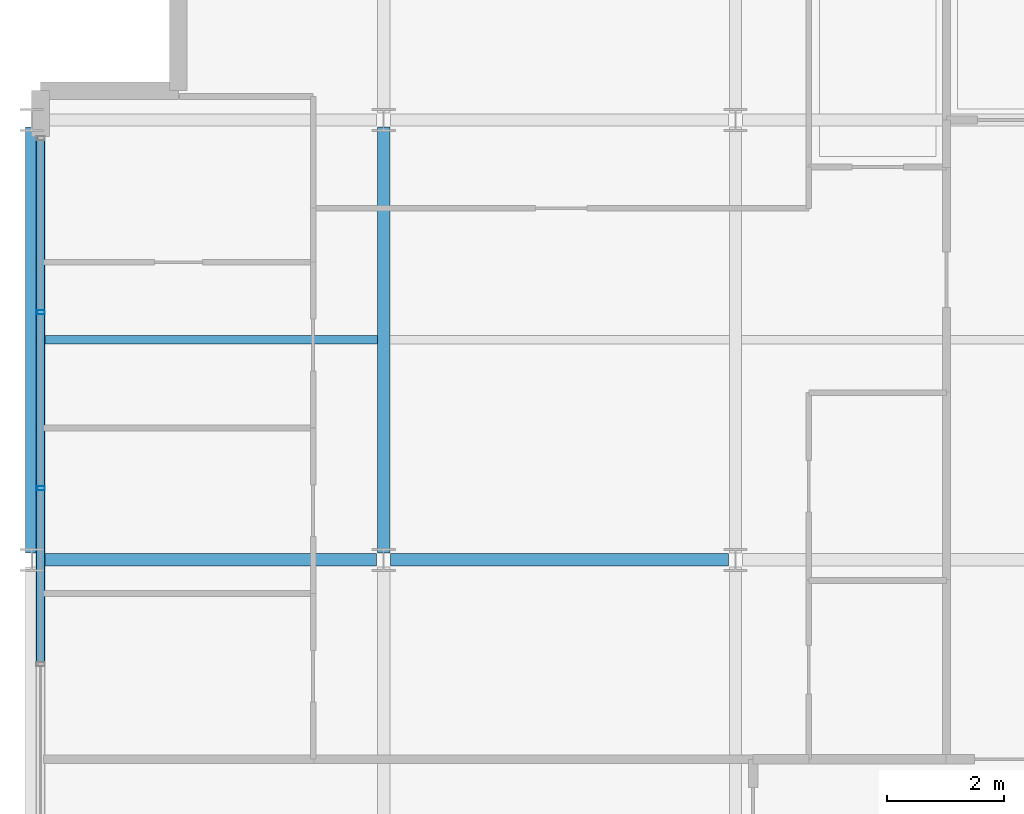
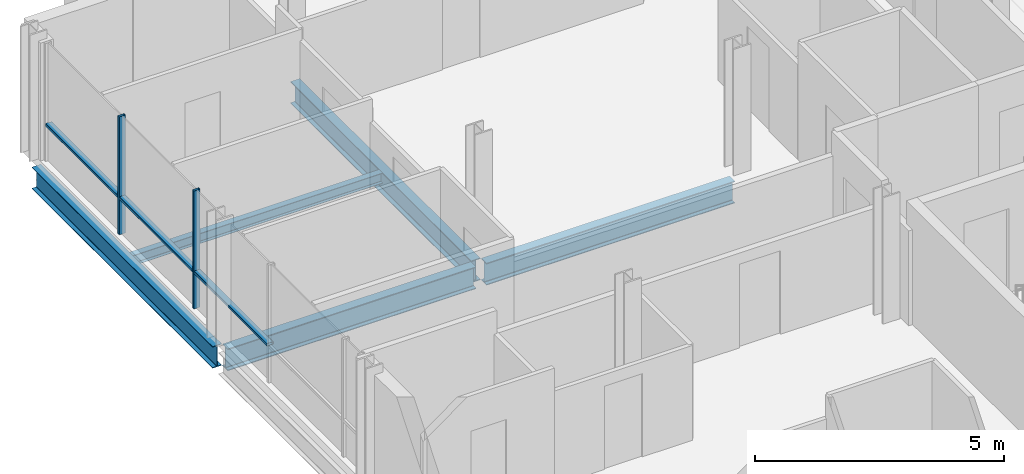
# One storey, part 6 of 35: 5 beams, 5 members, 1 element without a shape of its own.
"""IFC4 building model written with IfcOpenShell, lengths in metres."""

from ifc_helpers import new_model, si_unit, direction, frame, origin, origin_2d, place, context, subcontext, project, spatial, hollow_rectangle, i_section, extrude, material, layer, layer_set, material_profile, profile_set, type_object, element, aggregate, save


model = new_model("IFC4")

# Units and contexts
model_context = context("Model", 3, precision=1e-05, world=origin(), true_north=direction((0.0, 1.0)))
body_context = subcontext(model_context, "Body", "Model", "MODEL_VIEW")
ifc_project = project(units=[si_unit("LENGTHUNIT", "METRE"), si_unit("AREAUNIT", "SQUARE_METRE"), si_unit("VOLUMEUNIT", "CUBIC_METRE"), si_unit("PLANEANGLEUNIT", "RADIAN"), si_unit("MASSUNIT", "GRAM", prefix="KILO")], contexts=[model_context])

# Site, building, storey
site_placement = place(None, origin())
site = spatial("IfcSite", under=ifc_project, at=site_placement, CompositionType="ELEMENT")
building_placement = place(site_placement, origin())
building = spatial("IfcBuilding", under=site, at=building_placement, Name="Brevholm Reach", CompositionType="ELEMENT")
storey_placement = place(building_placement, frame((0.0, 0.0, 183.199951171875)))
storey = spatial("IfcBuildingStorey", under=building, at=storey_placement, Name="L55", CompositionType="ELEMENT", Elevation=183.199951171875)

# Beams
ifc_material_1 = material(Name="Structural Steel S355J2", Category="steel")
ifc_material_profile_1 = material_profile(ifc_material_1, i_section(OverallWidth=0.14599609375, OverallDepth=0.25146484375, WebThickness=0.006103515625, FlangeThickness=0.008544921875, FilletRadius=0.007568359375, at=origin_2d()), Name="UKB 254x146x31")
ifc_profile_set_1 = profile_set([ifc_material_profile_1], Name="Structural Steel S355J2")
beam_type_1 = type_object("IfcBeamType", Name="BM-B254", PredefinedType="BEAM", material=ifc_profile_set_1)
beam_1_placement = place(storey_placement, frame((0.104736328125, 19.75, -0.335693359375), z_axis=(1.0, 0.0, 0.0), x_axis=(0.0, 1.0, 0.0)))
element("IfcBeam", 1, at=beam_1_placement, inside=storey, type_object=beam_type_1, Name="L55 Composite Secondary Floor Beam", PredefinedType="BEAM", context=body_context, shape_type="SweptSolid", body=[
    extrude(i_section(OverallWidth=0.14599609375, OverallDepth=0.25146484375, WebThickness=0.006103515625, FlangeThickness=0.008544921875, FilletRadius=0.007568359375, at=origin_2d()), origin(), (0.0, 0.0, 1.0), 5.789794921875),
])
ifc_material_2 = material(Name="Structural Steel S355J2", Category="steel")
ifc_material_profile_2 = material_profile(ifc_material_2, i_section(OverallWidth=0.209228515625, OverallDepth=0.533203125, WebThickness=0.010009765625, FlangeThickness=0.015625, FilletRadius=0.0126953125, at=origin_2d()), Name="UKB 533x210x92")
ifc_profile_set_2 = profile_set([ifc_material_profile_2], Name="Structural Steel S355J2")
beam_type_2 = type_object("IfcBeamType", Name="BM-SP533", PredefinedType="SPANDREL", material=ifc_profile_set_2)
beam_2_placement = place(storey_placement, frame((0.0, 16.1201171875, -0.4765625), z_axis=(0.0, 1.0, 0.0), x_axis=(-1.0, 0.0, 0.0)))
element("IfcBeam", 2, at=beam_2_placement, inside=storey, type_object=beam_type_2, Name="L55 SP-02 Framing Beam", PredefinedType="SPANDREL", context=body_context, shape_type="SweptSolid", body=[
    extrude(i_section(OverallWidth=0.209228515625, OverallDepth=0.533203125, WebThickness=0.010009765625, FlangeThickness=0.015625, FilletRadius=0.0126953125, at=origin_2d()), origin(), (0.0, 0.0, 1.0), 7.259765625),
])
ifc_material_3 = material(Name="Structural Steel S355J2", Category="steel")
ifc_material_profile_3 = material_profile(ifc_material_3, i_section(OverallWidth=0.210693359375, OverallDepth=0.53955078125, WebThickness=0.01171875, FlangeThickness=0.018798828125, FilletRadius=0.0126953125, at=origin_2d()), Name="UKB 533x210x109")
ifc_profile_set_3 = profile_set([ifc_material_profile_3], Name="Structural Steel S355J2")
beam_type_3 = type_object("IfcBeamType", Name="BM-SP539", PredefinedType="SPANDREL", material=ifc_profile_set_3)
for number, where, z_axis, x_axis, name in (
    (3, (0.1201171875, 16.0, -0.479736328125), (1.0, 0.0, 0.0), (0.0, 1.0, 0.0), "L55 SP-01B Framing Beam"),
    (4, (6.1201171875, 16.0, -0.479736328125), (1.0, 0.0, 0.0), (0.0, 1.0, 0.0), "L55 SP-01B Framing Beam"),
):
    element("IfcBeam", number, at=place(storey_placement, frame(where, z_axis=z_axis, x_axis=x_axis)), inside=storey, type_object=beam_type_3, Name=name, PredefinedType="SPANDREL", context=body_context, shape_type="SweptSolid", body=[
        extrude(i_section(OverallWidth=0.210693359375, OverallDepth=0.53955078125, WebThickness=0.01171875, FlangeThickness=0.018798828125, FilletRadius=0.0126953125, at=origin_2d()), origin(), (0.0, 0.0, 1.0), 5.759765625),
    ])
beam_3_placement = place(storey_placement, frame((6.0, 16.1201171875, -0.479736328125), z_axis=(0.0, 1.0, 0.0), x_axis=(-1.0, 0.0, 0.0)))
element("IfcBeam", 5, at=beam_3_placement, inside=storey, type_object=beam_type_3, Name="L55 SP-01B Framing Beam", PredefinedType="SPANDREL", context=body_context, shape_type="SweptSolid", body=[
    extrude(i_section(OverallWidth=0.210693359375, OverallDepth=0.53955078125, WebThickness=0.01171875, FlangeThickness=0.018798828125, FilletRadius=0.0126953125, at=origin_2d()), origin(), (0.0, 0.0, 1.0), 7.259765625),
])

# Curtain wall, members
ifc_material_4 = material(Name="Dark Anodised Aluminium 6063-T6 and Solar-Control Glass", Category="aluminium")
ifc_layer = layer(ifc_material_4, 0.14990234375)
ifc_layer_set = layer_set([ifc_layer], Name="Dark Anodised Aluminium 6063-T6 and Solar-Control Glass")
curtain_wall_type = type_object("IfcCurtainWallType", Name="CW-01", PredefinedType="NOTDEFINED", material=ifc_layer_set)
curtain_wall_placement = place(storey_placement, origin())
curtain_wall = element("IfcCurtainWall", 6, at=curtain_wall_placement, inside=storey, type_object=curtain_wall_type, Name="L55 Curtain Wall CW-01", PredefinedType="NOTDEFINED")
ifc_material_5 = material(Name="Dark Anodised Aluminium 6063-T6", Category="aluminium")
ifc_material_profile_4 = material_profile(ifc_material_5, hollow_rectangle(XDim=0.06494140625, YDim=0.14990234375, WallThickness=0.0048828125, InnerFilletRadius=0.0048828125, OuterFilletRadius=0.010009765625, at=origin_2d()), Name="RHS 150x65x5")
ifc_profile_set_4 = profile_set([ifc_material_profile_4], Name="Dark Anodised Aluminium 6063-T6")
member_type_1 = type_object("IfcMemberType", Name="CWM-150", PredefinedType="MULLION", material=ifc_profile_set_4)
member_1_placement = place(storey_placement, frame((0.14990234375, 20.219970703125, 0.0), z_axis=(0.0, 0.0, 1.0), x_axis=(0.0, -1.0, 0.0)))
member_1 = element("IfcMember", 7, at=member_1_placement, type_object=member_type_1, Name="CM-150 Mullion 2", PredefinedType="MULLION", context=body_context, shape_type="SweptSolid", body=[
    extrude(hollow_rectangle(XDim=0.06494140625, YDim=0.14990234375, WallThickness=0.0048828125, InnerFilletRadius=0.0048828125, OuterFilletRadius=0.010009765625, at=origin_2d()), origin(), (0.0, 0.0, 1.0), 2.89013671875),
])
member_2_placement = place(storey_placement, frame((0.14990234375, 17.219970703125, 0.0), z_axis=(0.0, 0.0, 1.0), x_axis=(0.0, -1.0, 0.0)))
member_2 = element("IfcMember", 8, at=member_2_placement, type_object=member_type_1, Name="CM-150 Mullion 3", PredefinedType="MULLION", context=body_context, shape_type="SweptSolid", body=[
    extrude(hollow_rectangle(XDim=0.06494140625, YDim=0.14990234375, WallThickness=0.0048828125, InnerFilletRadius=0.0048828125, OuterFilletRadius=0.010009765625, at=origin_2d()), origin(), (0.0, 0.0, 1.0), 2.89013671875),
])
ifc_material_6 = material(Name="Dark Anodised Aluminium 6063-T6", Category="aluminium")
ifc_material_profile_5 = material_profile(ifc_material_6, hollow_rectangle(XDim=0.06494140625, YDim=0.14990234375, WallThickness=0.0048828125, InnerFilletRadius=0.0048828125, OuterFilletRadius=0.010009765625, at=origin_2d()), Name="RHS 150x65x5")
ifc_profile_set_5 = profile_set([ifc_material_profile_5], Name="Dark Anodised Aluminium 6063-T6")
member_type_2 = type_object("IfcMemberType", Name="CWT-150", PredefinedType="NOTDEFINED", material=ifc_profile_set_5)
member_3_placement = place(storey_placement, frame((0.14990234375, 23.155029296875, 0.900146484375), z_axis=(0.0, -1.0, 0.0), x_axis=(0.0, 0.0, 1.0)))
member_3 = element("IfcMember", 9, at=member_3_placement, type_object=member_type_2, Name="CT-150 Transom 1.1", ObjectType="TRANSOM", PredefinedType="USERDEFINED", context=body_context, shape_type="SweptSolid", body=[
    extrude(hollow_rectangle(XDim=0.06494140625, YDim=0.14990234375, WallThickness=0.0048828125, InnerFilletRadius=0.0048828125, OuterFilletRadius=0.010009765625, at=origin_2d()), origin(), (0.0, 0.0, 1.0), 2.902587890625),
])
member_4_placement = place(storey_placement, frame((0.14990234375, 20.1875, 0.900146484375), z_axis=(0.0, -1.0, 0.0), x_axis=(0.0, 0.0, 1.0)))
member_4 = element("IfcMember", 10, at=member_4_placement, type_object=member_type_2, Name="CT-150 Transom 2.1", ObjectType="TRANSOM", PredefinedType="USERDEFINED", context=body_context, shape_type="SweptSolid", body=[
    extrude(hollow_rectangle(XDim=0.06494140625, YDim=0.14990234375, WallThickness=0.0048828125, InnerFilletRadius=0.0048828125, OuterFilletRadius=0.010009765625, at=origin_2d()), origin(), (0.0, 0.0, 1.0), 2.93505859375),
])
member_5_placement = place(storey_placement, frame((0.14990234375, 17.1875, 0.900146484375), z_axis=(0.0, -1.0, 0.0), x_axis=(0.0, 0.0, 1.0)))
member_5 = element("IfcMember", 11, at=member_5_placement, type_object=member_type_2, Name="CT-150 Transom 3.1", ObjectType="TRANSOM", PredefinedType="USERDEFINED", context=body_context, shape_type="SweptSolid", body=[
    extrude(hollow_rectangle(XDim=0.06494140625, YDim=0.14990234375, WallThickness=0.0048828125, InnerFilletRadius=0.0048828125, OuterFilletRadius=0.010009765625, at=origin_2d()), origin(), (0.0, 0.0, 1.0), 2.93505859375),
])
aggregate(curtain_wall, [member_1, member_2, member_3, member_4, member_5])

save(model, "model.ifc")
